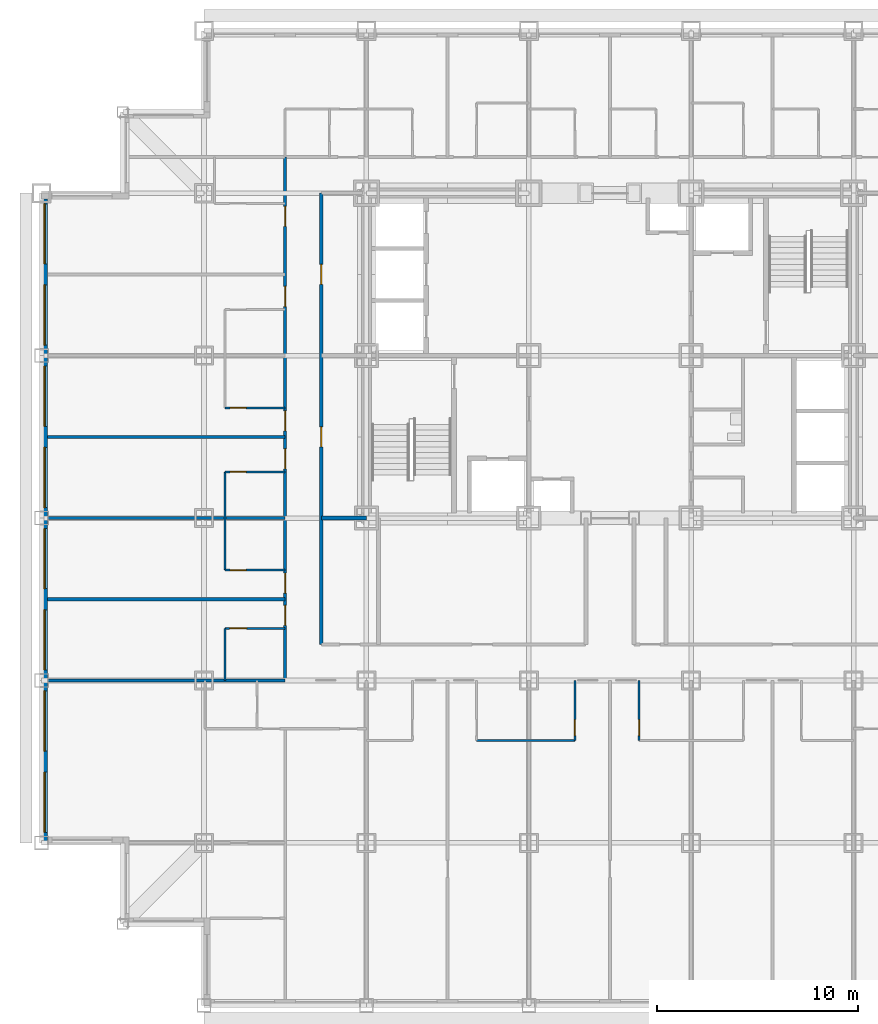
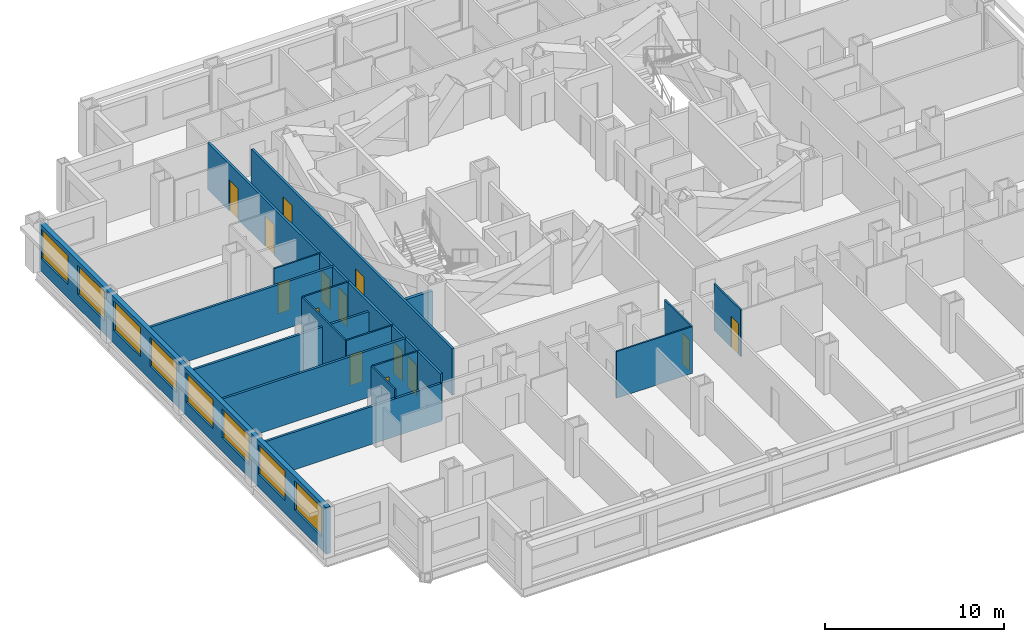
# One storey, part 4 of 12: 17 walls, 14 doors, 8 windows, 22 openings.
"""IFC4 building model written with IfcOpenShell, lengths in metres."""

from ifc_helpers import new_model, si_unit, direction, frame, frame_2d, origin, place, context, subcontext, project, spatial, rectangle, extrude, material, layer, layer_set, type_object, element, fill, save


model = new_model("IFC4")

# Units and contexts
model_context = context("Model", 3, precision=1e-05, world=origin(), true_north=direction((0.0, 1.0)))
body_context = subcontext(model_context, "Body", "Model", "MODEL_VIEW")
ifc_project = project(units=[si_unit("LENGTHUNIT", "METRE"), si_unit("AREAUNIT", "SQUARE_METRE"), si_unit("VOLUMEUNIT", "CUBIC_METRE"), si_unit("PLANEANGLEUNIT", "RADIAN"), si_unit("MASSUNIT", "GRAM", prefix="KILO")], contexts=[model_context])

# Site, building, storey
site_placement = place(None, origin())
site = spatial("IfcSite", under=ifc_project, at=site_placement, CompositionType="ELEMENT")
building_placement = place(site_placement, origin())
building = spatial("IfcBuilding", under=site, at=building_placement, Name="Kopane Lantern Tower", CompositionType="ELEMENT")
storey_placement = place(building_placement, frame((0.0, 0.0, 39.800048828125)))
storey = spatial("IfcBuildingStorey", under=building, at=storey_placement, Name="L08", CompositionType="ELEMENT", Elevation=39.800048828125)

# Wall
ifc_material_1 = material(Name="Moisture-resistant board on steel studs", Category="steel")
ifc_layer_1 = layer(ifc_material_1, 0.10009765625)
ifc_layer_set_1 = layer_set([ifc_layer_1], Name="BATHROOM WALL 100")
wall_type_1 = type_object("IfcWallType", Name="BATHROOM WALL 100", PredefinedType="PARTITIONING", material=ifc_layer_set_1)
wall_1_placement = place(storey_placement, frame((21.699951171875, 13.199951171875, 0.0), z_axis=(0.0, 0.0, 1.0), x_axis=(1.0, 0.0, 0.0)))
element("IfcWall", 1, at=wall_1_placement, inside=storey, type_object=wall_type_1, Name="Bathroom Wall 100 L08", PredefinedType="PARTITIONING", context=body_context, shape_type="SweptSolid", body=[
    extrude(rectangle(XDim=4.900146484375, YDim=0.10009765625, at=frame_2d((2.4501953125, 0.0))), origin(), (0.0, 0.0, 1.0), 3.18994140625),
])

# Wall, opening, door
wall_2_placement = place(storey_placement, frame((26.60009765625, 16.199951171875, 0.0), z_axis=(0.0, 0.0, 1.0), x_axis=(0.0, -1.0, 0.0)))
wall_2 = element("IfcWall", 2, at=wall_2_placement, inside=storey, type_object=wall_type_1, Name="Bathroom Wall 100 L08", PredefinedType="PARTITIONING", context=body_context, shape_type="SweptSolid", body=[
    extrude(rectangle(XDim=3.0, YDim=0.10009765625, at=frame_2d((1.5, 0.0))), origin(), (0.0, 0.0, 1.0), 3.18994140625),
])
opening_1_placement = place(wall_2_placement, frame((1.949951171875, 0.0, 0.0)))
opening_1 = element("IfcOpeningElement", 3, at=opening_1_placement, cuts=wall_2, Name="Opening L08-014", PredefinedType="OPENING", context=body_context, shape_type="SweptSolid", body=[
    extrude(rectangle(XDim=0.800048828125, YDim=2.10009765625, at=frame_2d((0.39990234375, 1.050048828125))), frame((0.0, 0.06005859375, 0.0), z_axis=(0.0, -1.0, 0.0), x_axis=(1.0, 0.0, 0.0)), (0.0, 0.0, 1.0), 0.1201171875),
])
ifc_material_2 = material(Name="Timber door set", Category="wood")
door_type_1 = type_object("IfcDoorType", Name="DOOR D2 800x2100", OperationType="SINGLE_SWING_LEFT", PredefinedType="DOOR", material=ifc_material_2)
door_1_placement = place(opening_1_placement, origin())
door_1 = element("IfcDoor", 4, at=door_1_placement, inside=storey, type_object=door_type_1, Name="Door L08-014", OperationType="SINGLE_SWING_LEFT", OverallHeight=2.10009765625, OverallWidth=0.800048828125, PredefinedType="DOOR", context=body_context, shape_type="SweptSolid", body=[
    extrude(rectangle(XDim=0.800048828125, YDim=2.10009765625, at=frame_2d((0.39990234375, 1.050048828125))), frame((0.0, 0.02490234375, 0.0), z_axis=(0.0, -1.0, 0.0), x_axis=(1.0, 0.0, 0.0)), (0.0, 0.0, 1.0), 0.050048828125),
])
fill(opening_1, door_1)

wall_3_placement = place(storey_placement, frame((29.800048828125, 16.199951171875, 0.0), z_axis=(0.0, 0.0, 1.0), x_axis=(0.0, -1.0, 0.0)))
wall_3 = element("IfcWall", 5, at=wall_3_placement, inside=storey, type_object=wall_type_1, Name="Bathroom Wall 100 L08", PredefinedType="PARTITIONING", context=body_context, shape_type="SweptSolid", body=[
    extrude(rectangle(XDim=3.0, YDim=0.10009765625, at=frame_2d((1.5, 0.0))), origin(), (0.0, 0.0, 1.0), 3.18994140625),
])
opening_2_placement = place(wall_3_placement, frame((1.949951171875, 0.0, 0.0)))
opening_2 = element("IfcOpeningElement", 6, at=opening_2_placement, cuts=wall_3, Name="Opening L08-016", PredefinedType="OPENING", context=body_context, shape_type="SweptSolid", body=[
    extrude(rectangle(XDim=0.800048828125, YDim=2.10009765625, at=frame_2d((0.39990234375, 1.050048828125))), frame((0.0, 0.06005859375, 0.0), z_axis=(0.0, -1.0, 0.0), x_axis=(1.0, 0.0, 0.0)), (0.0, 0.0, 1.0), 0.1201171875),
])
door_2_placement = place(opening_2_placement, origin())
door_2 = element("IfcDoor", 7, at=door_2_placement, inside=storey, type_object=door_type_1, Name="Door L08-016", OperationType="SINGLE_SWING_RIGHT", OverallHeight=2.10009765625, OverallWidth=0.800048828125, PredefinedType="DOOR", context=body_context, shape_type="SweptSolid", body=[
    extrude(rectangle(XDim=0.800048828125, YDim=2.10009765625, at=frame_2d((0.39990234375, 1.050048828125))), frame((0.0, 0.02490234375, 0.0), z_axis=(0.0, -1.0, 0.0), x_axis=(1.0, 0.0, 0.0)), (0.0, 0.0, 1.0), 0.050048828125),
])
fill(opening_2, door_2)

# Wall
wall_4_placement = place(storey_placement, frame((9.14990234375, 16.199951171875, 0.0), z_axis=(0.0, 0.0, 1.0), x_axis=(0.0, 1.0, 0.0)))
element("IfcWall", 8, at=wall_4_placement, inside=storey, type_object=wall_type_1, Name="Bathroom Wall 100 L08", PredefinedType="PARTITIONING", context=body_context, shape_type="SweptSolid", body=[
    extrude(rectangle(XDim=2.60009765625, YDim=0.10009765625, at=frame_2d((1.300048828125, 0.0))), origin(), (0.0, 0.0, 1.0), 3.18994140625),
])

# Wall, opening, door
wall_5_placement = place(storey_placement, frame((12.14990234375, 18.800048828125, 0.0), z_axis=(0.0, 0.0, 1.0), x_axis=(-1.0, 0.0, 0.0)))
wall_5 = element("IfcWall", 9, at=wall_5_placement, inside=storey, type_object=wall_type_1, Name="Bathroom Wall 100 L08", PredefinedType="PARTITIONING", context=body_context, shape_type="SweptSolid", body=[
    extrude(rectangle(XDim=3.0, YDim=0.10009765625, at=frame_2d((1.5, 0.0))), origin(), (0.0, 0.0, 1.0), 3.18994140625),
])
opening_3_placement = place(wall_5_placement, frame((1.925048828125, 0.0, 0.0)))
opening_3 = element("IfcOpeningElement", 10, at=opening_3_placement, cuts=wall_5, Name="Opening L08-035", PredefinedType="OPENING", context=body_context, shape_type="SweptSolid", body=[
    extrude(rectangle(XDim=0.85009765625, YDim=2.10009765625, at=frame_2d((0.425048828125, 1.050048828125))), frame((0.0, 0.06005859375, 0.0), z_axis=(0.0, -1.0, 0.0), x_axis=(1.0, 0.0, 0.0)), (0.0, 0.0, 1.0), 0.1201171875),
])
ifc_material_3 = material(Name="Timber door set", Category="wood")
door_type_2 = type_object("IfcDoorType", Name="DOOR D4 850x2100", OperationType="SINGLE_SWING_LEFT", PredefinedType="DOOR", material=ifc_material_3)
door_3_placement = place(opening_3_placement, origin())
door_3 = element("IfcDoor", 11, at=door_3_placement, inside=storey, type_object=door_type_2, Name="Door L08-035", OperationType="SINGLE_SWING_RIGHT", OverallHeight=2.10009765625, OverallWidth=0.85009765625, PredefinedType="DOOR", context=body_context, shape_type="SweptSolid", body=[
    extrude(rectangle(XDim=0.85009765625, YDim=2.10009765625, at=frame_2d((0.425048828125, 1.050048828125))), frame((0.0, 0.02490234375, 0.0), z_axis=(0.0, -1.0, 0.0), x_axis=(1.0, 0.0, 0.0)), (0.0, 0.0, 1.0), 0.050048828125),
])
fill(opening_3, door_3)

# Wall
wall_6_placement = place(storey_placement, frame((9.14990234375, 21.699951171875, 0.0), z_axis=(0.0, 0.0, 1.0), x_axis=(0.0, 1.0, 0.0)))
element("IfcWall", 12, at=wall_6_placement, inside=storey, type_object=wall_type_1, Name="Bathroom Wall 100 L08", PredefinedType="PARTITIONING", context=body_context, shape_type="SweptSolid", body=[
    extrude(rectangle(XDim=4.900146484375, YDim=0.10009765625, at=frame_2d((2.4501953125, 0.0))), origin(), (0.0, 0.0, 1.0), 3.18994140625),
])

# Wall, opening, door
wall_7_placement = place(storey_placement, frame((12.14990234375, 21.699951171875, 0.0), z_axis=(0.0, 0.0, 1.0), x_axis=(-1.0, 0.0, 0.0)))
wall_7 = element("IfcWall", 13, at=wall_7_placement, inside=storey, type_object=wall_type_1, Name="Bathroom Wall 100 L08", PredefinedType="PARTITIONING", context=body_context, shape_type="SweptSolid", body=[
    extrude(rectangle(XDim=3.0, YDim=0.10009765625, at=frame_2d((1.5, 0.0))), origin(), (0.0, 0.0, 1.0), 3.18994140625),
])
opening_4_placement = place(wall_7_placement, frame((1.949951171875, 0.0, 0.0)))
opening_4 = element("IfcOpeningElement", 14, at=opening_4_placement, cuts=wall_7, Name="Opening L08-037", PredefinedType="OPENING", context=body_context, shape_type="SweptSolid", body=[
    extrude(rectangle(XDim=0.800048828125, YDim=2.10009765625, at=frame_2d((0.39990234375, 1.050048828125))), frame((0.0, 0.06005859375, 0.0), z_axis=(0.0, -1.0, 0.0), x_axis=(1.0, 0.0, 0.0)), (0.0, 0.0, 1.0), 0.1201171875),
])
door_4_placement = place(opening_4_placement, origin())
door_4 = element("IfcDoor", 15, at=door_4_placement, inside=storey, type_object=door_type_1, Name="Door L08-037", OperationType="SINGLE_SWING_LEFT", OverallHeight=2.10009765625, OverallWidth=0.800048828125, PredefinedType="DOOR", context=body_context, shape_type="SweptSolid", body=[
    extrude(rectangle(XDim=0.800048828125, YDim=2.10009765625, at=frame_2d((0.39990234375, 1.050048828125))), frame((0.0, 0.02490234375, 0.0), z_axis=(0.0, -1.0, 0.0), x_axis=(1.0, 0.0, 0.0)), (0.0, 0.0, 1.0), 0.050048828125),
])
fill(opening_4, door_4)

wall_8_placement = place(storey_placement, frame((12.14990234375, 26.60009765625, 0.0), z_axis=(0.0, 0.0, 1.0), x_axis=(-1.0, 0.0, 0.0)))
wall_8 = element("IfcWall", 16, at=wall_8_placement, inside=storey, type_object=wall_type_1, Name="Bathroom Wall 100 L08", PredefinedType="PARTITIONING", context=body_context, shape_type="SweptSolid", body=[
    extrude(rectangle(XDim=3.0, YDim=0.10009765625, at=frame_2d((1.5, 0.0))), origin(), (0.0, 0.0, 1.0), 3.18994140625),
])
opening_5_placement = place(wall_8_placement, frame((1.949951171875, 0.0, 0.0)))
opening_5 = element("IfcOpeningElement", 17, at=opening_5_placement, cuts=wall_8, Name="Opening L08-039", PredefinedType="OPENING", context=body_context, shape_type="SweptSolid", body=[
    extrude(rectangle(XDim=0.800048828125, YDim=2.10009765625, at=frame_2d((0.39990234375, 1.050048828125))), frame((0.0, 0.06005859375, 0.0), z_axis=(0.0, -1.0, 0.0), x_axis=(1.0, 0.0, 0.0)), (0.0, 0.0, 1.0), 0.1201171875),
])
door_5_placement = place(opening_5_placement, origin())
door_5 = element("IfcDoor", 18, at=door_5_placement, inside=storey, type_object=door_type_1, Name="Door L08-039", OperationType="SINGLE_SWING_RIGHT", OverallHeight=2.10009765625, OverallWidth=0.800048828125, PredefinedType="DOOR", context=body_context, shape_type="SweptSolid", body=[
    extrude(rectangle(XDim=0.800048828125, YDim=2.10009765625, at=frame_2d((0.39990234375, 1.050048828125))), frame((0.0, 0.02490234375, 0.0), z_axis=(0.0, -1.0, 0.0), x_axis=(1.0, 0.0, 0.0)), (0.0, 0.0, 1.0), 0.050048828125),
])
fill(opening_5, door_5)

wall_9_placement = place(storey_placement, frame((12.14990234375, 29.800048828125, 0.0), z_axis=(0.0, 0.0, 1.0), x_axis=(-1.0, 0.0, 0.0)))
wall_9 = element("IfcWall", 19, at=wall_9_placement, inside=storey, type_object=wall_type_1, Name="Bathroom Wall 100 L08", PredefinedType="PARTITIONING", context=body_context, shape_type="SweptSolid", body=[
    extrude(rectangle(XDim=3.0, YDim=0.10009765625, at=frame_2d((1.5, 0.0))), origin(), (0.0, 0.0, 1.0), 3.18994140625),
])
opening_6_placement = place(wall_9_placement, frame((1.949951171875, 0.0, 0.0)))
opening_6 = element("IfcOpeningElement", 20, at=opening_6_placement, cuts=wall_9, Name="Opening L08-041", PredefinedType="OPENING", context=body_context, shape_type="SweptSolid", body=[
    extrude(rectangle(XDim=0.800048828125, YDim=2.10009765625, at=frame_2d((0.39990234375, 1.050048828125))), frame((0.0, 0.06005859375, 0.0), z_axis=(0.0, -1.0, 0.0), x_axis=(1.0, 0.0, 0.0)), (0.0, 0.0, 1.0), 0.1201171875),
])
door_6_placement = place(opening_6_placement, origin())
door_6 = element("IfcDoor", 21, at=door_6_placement, inside=storey, type_object=door_type_1, Name="Door L08-041", OperationType="SINGLE_SWING_LEFT", OverallHeight=2.10009765625, OverallWidth=0.800048828125, PredefinedType="DOOR", context=body_context, shape_type="SweptSolid", body=[
    extrude(rectangle(XDim=0.800048828125, YDim=2.10009765625, at=frame_2d((0.39990234375, 1.050048828125))), frame((0.0, 0.02490234375, 0.0), z_axis=(0.0, -1.0, 0.0), x_axis=(1.0, 0.0, 0.0)), (0.0, 0.0, 1.0), 0.050048828125),
])
fill(opening_6, door_6)

# Wall, openings, doors
ifc_material_4 = material(Name="Gypsum board on steel studs", Category="steel")
ifc_layer_2 = layer(ifc_material_4, 0.14990234375)
ifc_layer_set_2 = layer_set([ifc_layer_2], Name="CORRIDOR WALL 150 EI 60")
wall_type_2 = type_object("IfcWallType", Name="CORRIDOR WALL 150 EI 60", PredefinedType="PARTITIONING", material=ifc_layer_set_2)
wall_10_placement = place(storey_placement, frame((12.14990234375, 16.199951171875, 0.0), z_axis=(0.0, 0.0, 1.0), x_axis=(0.0, 1.0, 0.0)))
wall_10 = element("IfcWall", 22, at=wall_10_placement, inside=storey, type_object=wall_type_2, Name="Corridor Wall 150 Ei 60 L08", PredefinedType="PARTITIONING", context=body_context, shape_type="SweptSolid", body=[
    extrude(rectangle(XDim=26.10009765625, YDim=0.14990234375, at=frame_2d((13.050048828125, 0.0))), origin(), (0.0, 0.0, 1.0), 3.18994140625),
])
opening_7_placement = place(wall_10_placement, frame((2.75, 0.0, 0.0)))
opening_7 = element("IfcOpeningElement", 23, at=opening_7_placement, cuts=wall_10, Name="Opening L08-036", PredefinedType="OPENING", context=body_context, shape_type="SweptSolid", body=[
    extrude(rectangle(XDim=1.0, YDim=2.10009765625, at=frame_2d((0.5, 1.050048828125))), frame((0.0, 0.0849609375, 0.0), z_axis=(0.0, -1.0, 0.0), x_axis=(1.0, 0.0, 0.0)), (0.0, 0.0, 1.0), 0.169921875),
])
opening_8_placement = place(wall_10_placement, frame((4.35009765625, 0.0, 0.0)))
opening_8 = element("IfcOpeningElement", 24, at=opening_8_placement, cuts=wall_10, Name="Opening L08-038", PredefinedType="OPENING", context=body_context, shape_type="SweptSolid", body=[
    extrude(rectangle(XDim=1.0, YDim=2.10009765625, at=frame_2d((0.5, 1.050048828125))), frame((0.0, 0.0849609375, 0.0), z_axis=(0.0, -1.0, 0.0), x_axis=(1.0, 0.0, 0.0)), (0.0, 0.0, 1.0), 0.169921875),
])
opening_9_placement = place(wall_10_placement, frame((10.550048828125, 0.0, 0.0)))
opening_9 = element("IfcOpeningElement", 25, at=opening_9_placement, cuts=wall_10, Name="Opening L08-040", PredefinedType="OPENING", context=body_context, shape_type="SweptSolid", body=[
    extrude(rectangle(XDim=1.0, YDim=2.10009765625, at=frame_2d((0.5, 1.050048828125))), frame((0.0, 0.0849609375, 0.0), z_axis=(0.0, -1.0, 0.0), x_axis=(1.0, 0.0, 0.0)), (0.0, 0.0, 1.0), 0.169921875),
])
opening_10_placement = place(wall_10_placement, frame((12.449951171875, 0.0, 0.0)))
opening_10 = element("IfcOpeningElement", 26, at=opening_10_placement, cuts=wall_10, Name="Opening L08-042", PredefinedType="OPENING", context=body_context, shape_type="SweptSolid", body=[
    extrude(rectangle(XDim=1.0, YDim=2.10009765625, at=frame_2d((0.5, 1.050048828125))), frame((0.0, 0.0849609375, 0.0), z_axis=(0.0, -1.0, 0.0), x_axis=(1.0, 0.0, 0.0)), (0.0, 0.0, 1.0), 0.169921875),
])
opening_11_placement = place(wall_10_placement, frame((18.64990234375, 0.0, 0.0)))
opening_11 = element("IfcOpeningElement", 27, at=opening_11_placement, cuts=wall_10, Name="Opening L08-044", PredefinedType="OPENING", context=body_context, shape_type="SweptSolid", body=[
    extrude(rectangle(XDim=1.0, YDim=2.10009765625, at=frame_2d((0.5, 1.050048828125))), frame((0.0, 0.0849609375, 0.0), z_axis=(0.0, -1.0, 0.0), x_axis=(1.0, 0.0, 0.0)), (0.0, 0.0, 1.0), 0.169921875),
])
opening_12_placement = place(wall_10_placement, frame((22.64990234375, 0.0, 0.0)))
opening_12 = element("IfcOpeningElement", 28, at=opening_12_placement, cuts=wall_10, Name="Opening L08-046", PredefinedType="OPENING", context=body_context, shape_type="SweptSolid", body=[
    extrude(rectangle(XDim=1.0, YDim=2.10009765625, at=frame_2d((0.5, 1.050048828125))), frame((0.0, 0.0849609375, 0.0), z_axis=(0.0, -1.0, 0.0), x_axis=(1.0, 0.0, 0.0)), (0.0, 0.0, 1.0), 0.169921875),
])
ifc_material_5 = material(Name="Steel door set", Category="steel")
door_type_3 = type_object("IfcDoorType", Name="DOOR D1 1000x2100 FD30S", OperationType="SINGLE_SWING_LEFT", PredefinedType="DOOR", material=ifc_material_5)
door_7_placement = place(opening_7_placement, origin())
door_7 = element("IfcDoor", 29, at=door_7_placement, inside=storey, type_object=door_type_3, Name="Door L08-036", OperationType="SINGLE_SWING_LEFT", OverallHeight=2.10009765625, OverallWidth=1.0, PredefinedType="DOOR", context=body_context, shape_type="SweptSolid", body=[
    extrude(rectangle(XDim=1.0, YDim=2.10009765625, at=frame_2d((0.5, 1.050048828125))), frame((0.0, 0.02490234375, 0.0), z_axis=(0.0, -1.0, 0.0), x_axis=(1.0, 0.0, 0.0)), (0.0, 0.0, 1.0), 0.050048828125),
])
fill(opening_7, door_7)
door_8_placement = place(opening_8_placement, origin())
door_8 = element("IfcDoor", 30, at=door_8_placement, inside=storey, type_object=door_type_3, Name="Door L08-038", OperationType="SINGLE_SWING_RIGHT", OverallHeight=2.10009765625, OverallWidth=1.0, PredefinedType="DOOR", context=body_context, shape_type="SweptSolid", body=[
    extrude(rectangle(XDim=1.0, YDim=2.10009765625, at=frame_2d((0.5, 1.050048828125))), frame((0.0, 0.02490234375, 0.0), z_axis=(0.0, -1.0, 0.0), x_axis=(1.0, 0.0, 0.0)), (0.0, 0.0, 1.0), 0.050048828125),
])
fill(opening_8, door_8)
door_9_placement = place(opening_9_placement, origin())
door_9 = element("IfcDoor", 31, at=door_9_placement, inside=storey, type_object=door_type_3, Name="Door L08-040", OperationType="SINGLE_SWING_LEFT", OverallHeight=2.10009765625, OverallWidth=1.0, PredefinedType="DOOR", context=body_context, shape_type="SweptSolid", body=[
    extrude(rectangle(XDim=1.0, YDim=2.10009765625, at=frame_2d((0.5, 1.050048828125))), frame((0.0, 0.02490234375, 0.0), z_axis=(0.0, -1.0, 0.0), x_axis=(1.0, 0.0, 0.0)), (0.0, 0.0, 1.0), 0.050048828125),
])
fill(opening_9, door_9)
door_10_placement = place(opening_10_placement, origin())
door_10 = element("IfcDoor", 32, at=door_10_placement, inside=storey, type_object=door_type_3, Name="Door L08-042", OperationType="SINGLE_SWING_RIGHT", OverallHeight=2.10009765625, OverallWidth=1.0, PredefinedType="DOOR", context=body_context, shape_type="SweptSolid", body=[
    extrude(rectangle(XDim=1.0, YDim=2.10009765625, at=frame_2d((0.5, 1.050048828125))), frame((0.0, 0.02490234375, 0.0), z_axis=(0.0, -1.0, 0.0), x_axis=(1.0, 0.0, 0.0)), (0.0, 0.0, 1.0), 0.050048828125),
])
fill(opening_10, door_10)
door_11_placement = place(opening_11_placement, origin())
door_11 = element("IfcDoor", 33, at=door_11_placement, inside=storey, type_object=door_type_3, Name="Door L08-044", OperationType="SINGLE_SWING_LEFT", OverallHeight=2.10009765625, OverallWidth=1.0, PredefinedType="DOOR", context=body_context, shape_type="SweptSolid", body=[
    extrude(rectangle(XDim=1.0, YDim=2.10009765625, at=frame_2d((0.5, 1.050048828125))), frame((0.0, 0.02490234375, 0.0), z_axis=(0.0, -1.0, 0.0), x_axis=(1.0, 0.0, 0.0)), (0.0, 0.0, 1.0), 0.050048828125),
])
fill(opening_11, door_11)
door_12_placement = place(opening_12_placement, origin())
door_12 = element("IfcDoor", 34, at=door_12_placement, inside=storey, type_object=door_type_3, Name="Door L08-046", OperationType="SINGLE_SWING_RIGHT", OverallHeight=2.10009765625, OverallWidth=1.0, PredefinedType="DOOR", context=body_context, shape_type="SweptSolid", body=[
    extrude(rectangle(XDim=1.0, YDim=2.10009765625, at=frame_2d((0.5, 1.050048828125))), frame((0.0, 0.02490234375, 0.0), z_axis=(0.0, -1.0, 0.0), x_axis=(1.0, 0.0, 0.0)), (0.0, 0.0, 1.0), 0.050048828125),
])
fill(opening_12, door_12)

wall_11_placement = place(storey_placement, frame((13.949951171875, 40.5, 0.0), z_axis=(0.0, 0.0, 1.0), x_axis=(0.0, -1.0, 0.0)))
wall_11 = element("IfcWall", 35, at=wall_11_placement, inside=storey, type_object=wall_type_2, Name="Corridor Wall 150 Ei 60 L08", PredefinedType="PARTITIONING", context=body_context, shape_type="SweptSolid", body=[
    extrude(rectangle(XDim=22.5, YDim=0.14990234375, at=frame_2d((11.25, 0.0))), origin(), (0.0, 0.0, 1.0), 3.18994140625),
])
opening_13_placement = place(wall_11_placement, frame((11.64990234375, 0.0, 0.0)))
opening_13 = element("IfcOpeningElement", 36, at=opening_13_placement, cuts=wall_11, Name="Opening L08-001", PredefinedType="OPENING", context=body_context, shape_type="SweptSolid", body=[
    extrude(rectangle(XDim=1.0, YDim=2.10009765625, at=frame_2d((0.5, 1.050048828125))), frame((0.0, 0.0849609375, 0.0), z_axis=(0.0, -1.0, 0.0), x_axis=(1.0, 0.0, 0.0)), (0.0, 0.0, 1.0), 0.169921875),
])
opening_14_placement = place(wall_11_placement, frame((3.550048828125, 0.0, 0.0)))
opening_14 = element("IfcOpeningElement", 37, at=opening_14_placement, cuts=wall_11, Name="Opening L08-002", PredefinedType="OPENING", context=body_context, shape_type="SweptSolid", body=[
    extrude(rectangle(XDim=1.0, YDim=2.10009765625, at=frame_2d((0.5, 1.050048828125))), frame((0.0, 0.0849609375, 0.0), z_axis=(0.0, -1.0, 0.0), x_axis=(1.0, 0.0, 0.0)), (0.0, 0.0, 1.0), 0.169921875),
])
ifc_material_6 = material(Name="Steel door set", Category="steel")
door_type_4 = type_object("IfcDoorType", Name="DOOR D5 1000x2100 FD60", OperationType="SINGLE_SWING_LEFT", PredefinedType="DOOR", material=ifc_material_6)
door_13_placement = place(opening_13_placement, origin())
door_13 = element("IfcDoor", 38, at=door_13_placement, inside=storey, type_object=door_type_4, Name="Door L08-001", OperationType="SINGLE_SWING_RIGHT", OverallHeight=2.10009765625, OverallWidth=1.0, PredefinedType="DOOR", context=body_context, shape_type="SweptSolid", body=[
    extrude(rectangle(XDim=1.0, YDim=2.10009765625, at=frame_2d((0.5, 1.050048828125))), frame((0.0, 0.02490234375, 0.0), z_axis=(0.0, -1.0, 0.0), x_axis=(1.0, 0.0, 0.0)), (0.0, 0.0, 1.0), 0.050048828125),
])
fill(opening_13, door_13)
door_14_placement = place(opening_14_placement, origin())
door_14 = element("IfcDoor", 39, at=door_14_placement, inside=storey, type_object=door_type_4, Name="Door L08-002", OperationType="SINGLE_SWING_LEFT", OverallHeight=2.10009765625, OverallWidth=1.0, PredefinedType="DOOR", context=body_context, shape_type="SweptSolid", body=[
    extrude(rectangle(XDim=1.0, YDim=2.10009765625, at=frame_2d((0.5, 1.050048828125))), frame((0.0, 0.02490234375, 0.0), z_axis=(0.0, -1.0, 0.0), x_axis=(1.0, 0.0, 0.0)), (0.0, 0.0, 1.0), 0.050048828125),
])
fill(opening_14, door_14)

# Walls
ifc_material_7 = material(Name="Gypsum board on steel studs", Category="steel")
ifc_layer_3 = layer(ifc_material_7, 0.14990234375)
ifc_layer_set_3 = layer_set([ifc_layer_3], Name="DEMISING WALL 150 EI 60")
wall_type_3 = type_object("IfcWallType", Name="DEMISING WALL 150 EI 60", PredefinedType="PARTITIONING", material=ifc_layer_set_3)
wall_12_placement = place(storey_placement, frame((12.14990234375, 20.25, 0.0), z_axis=(0.0, 0.0, 1.0), x_axis=(-1.0, 0.0, 0.0)))
element("IfcWall", 40, at=wall_12_placement, inside=storey, type_object=wall_type_3, Name="Demising Wall 150 Ei 60 L08", PredefinedType="PARTITIONING", context=body_context, shape_type="SweptSolid", body=[
    extrude(rectangle(XDim=11.849853515625, YDim=0.14990234375, at=frame_2d((5.9248046875, 0.0))), origin(), (0.0, 0.0, 1.0), 3.18994140625),
])
wall_13_placement = place(storey_placement, frame((12.14990234375, 24.300048828125, 0.0), z_axis=(0.0, 0.0, 1.0), x_axis=(-1.0, 0.0, 0.0)))
element("IfcWall", 41, at=wall_13_placement, inside=storey, type_object=wall_type_3, Name="Demising Wall 150 Ei 60 L08", PredefinedType="PARTITIONING", context=body_context, shape_type="SweptSolid", body=[
    extrude(rectangle(XDim=11.849853515625, YDim=0.14990234375, at=frame_2d((5.9248046875, 0.0))), origin(), (0.0, 0.0, 1.0), 2.57763671875),
])
wall_14_placement = place(storey_placement, frame((12.14990234375, 28.35009765625, 0.0), z_axis=(0.0, 0.0, 1.0), x_axis=(-1.0, 0.0, 0.0)))
element("IfcWall", 42, at=wall_14_placement, inside=storey, type_object=wall_type_3, Name="Demising Wall 150 Ei 60 L08", PredefinedType="PARTITIONING", context=body_context, shape_type="SweptSolid", body=[
    extrude(rectangle(XDim=11.849853515625, YDim=0.14990234375, at=frame_2d((5.9248046875, 0.0))), origin(), (0.0, 0.0, 1.0), 3.18994140625),
])
wall_15_placement = place(storey_placement, frame((0.300048828125, 16.199951171875, 0.0), z_axis=(0.0, 0.0, 1.0), x_axis=(1.0, 0.0, 0.0)))
element("IfcWall", 43, at=wall_15_placement, inside=storey, type_object=wall_type_3, Name="Demising Wall 150 Ei 60 L08", PredefinedType="PARTITIONING", context=body_context, shape_type="SweptSolid", body=[
    extrude(rectangle(XDim=11.849853515625, YDim=0.14990234375, at=frame_2d((5.9248046875, 0.0))), origin(), (0.0, 0.0, 1.0), 2.57763671875),
])

# Wall, openings, windows
ifc_material_8 = material(Name="Terracotta rainscreen on light steel framing", Category="masonry")
ifc_layer_4 = layer(ifc_material_8, 0.300048828125)
ifc_layer_set_4 = layer_set([ifc_layer_4], Name="EXTERNAL WALL EW1 300 TERRACOTTA")
wall_type_4 = type_object("IfcWallType", Name="EXTERNAL WALL EW1 300 TERRACOTTA", PredefinedType="SOLIDWALL", material=ifc_layer_set_4)
wall_16_placement = place(storey_placement, frame((0.14990234375, 40.199951171875, 0.0), z_axis=(0.0, 0.0, 1.0), x_axis=(0.0, -1.0, 0.0)))
wall_16 = element("IfcWall", 44, at=wall_16_placement, inside=storey, type_object=wall_type_4, Name="External wall W L08", PredefinedType="SOLIDWALL", context=body_context, shape_type="SweptSolid", body=[
    extrude(rectangle(XDim=32.099853515625, YDim=0.300048828125, at=frame_2d((16.0498046875, 0.0))), origin(), (0.0, 0.0, 1.0), 3.18994140625),
])
opening_15_placement = place(wall_16_placement, frame((0.22509765625, 0.0, 0.89990234375)))
opening_15 = element("IfcOpeningElement", 45, at=opening_15_placement, cuts=wall_16, Name="Opening WR300200", PredefinedType="OPENING", context=body_context, shape_type="SweptSolid", body=[
    extrude(rectangle(XDim=3.0, YDim=2.0, at=frame_2d((1.5, 1.0))), frame((0.0, 0.159912109375, 0.0), z_axis=(0.0, -1.0, 0.0), x_axis=(1.0, 0.0, 0.0)), (0.0, 0.0, 1.0), 0.320068359375),
])
opening_16_placement = place(wall_16_placement, frame((4.27490234375, 0.0, 0.89990234375)))
opening_16 = element("IfcOpeningElement", 46, at=opening_16_placement, cuts=wall_16, Name="Opening WR300200", PredefinedType="OPENING", context=body_context, shape_type="SweptSolid", body=[
    extrude(rectangle(XDim=3.0, YDim=2.0, at=frame_2d((1.5, 1.0))), frame((0.0, 0.159912109375, 0.0), z_axis=(0.0, -1.0, 0.0), x_axis=(1.0, 0.0, 0.0)), (0.0, 0.0, 1.0), 0.320068359375),
])
opening_17_placement = place(wall_16_placement, frame((8.324951171875, 0.0, 0.89990234375)))
opening_17 = element("IfcOpeningElement", 47, at=opening_17_placement, cuts=wall_16, Name="Opening WR300200", PredefinedType="OPENING", context=body_context, shape_type="SweptSolid", body=[
    extrude(rectangle(XDim=3.0, YDim=2.0, at=frame_2d((1.5, 1.0))), frame((0.0, 0.159912109375, 0.0), z_axis=(0.0, -1.0, 0.0), x_axis=(1.0, 0.0, 0.0)), (0.0, 0.0, 1.0), 0.320068359375),
])
opening_18_placement = place(wall_16_placement, frame((12.375, 0.0, 0.89990234375)))
opening_18 = element("IfcOpeningElement", 48, at=opening_18_placement, cuts=wall_16, Name="Opening WR300200", PredefinedType="OPENING", context=body_context, shape_type="SweptSolid", body=[
    extrude(rectangle(XDim=3.0, YDim=2.0, at=frame_2d((1.5, 1.0))), frame((0.0, 0.159912109375, 0.0), z_axis=(0.0, -1.0, 0.0), x_axis=(1.0, 0.0, 0.0)), (0.0, 0.0, 1.0), 0.320068359375),
])
opening_19_placement = place(wall_16_placement, frame((16.425048828125, 0.0, 0.89990234375)))
opening_19 = element("IfcOpeningElement", 49, at=opening_19_placement, cuts=wall_16, Name="Opening WR300200", PredefinedType="OPENING", context=body_context, shape_type="SweptSolid", body=[
    extrude(rectangle(XDim=3.0, YDim=2.0, at=frame_2d((1.5, 1.0))), frame((0.0, 0.159912109375, 0.0), z_axis=(0.0, -1.0, 0.0), x_axis=(1.0, 0.0, 0.0)), (0.0, 0.0, 1.0), 0.320068359375),
])
opening_20_placement = place(wall_16_placement, frame((20.47509765625, 0.0, 0.89990234375)))
opening_20 = element("IfcOpeningElement", 50, at=opening_20_placement, cuts=wall_16, Name="Opening WR300200", PredefinedType="OPENING", context=body_context, shape_type="SweptSolid", body=[
    extrude(rectangle(XDim=3.0, YDim=2.0, at=frame_2d((1.5, 1.0))), frame((0.0, 0.159912109375, 0.0), z_axis=(0.0, -1.0, 0.0), x_axis=(1.0, 0.0, 0.0)), (0.0, 0.0, 1.0), 0.320068359375),
])
opening_21_placement = place(wall_16_placement, frame((24.52490234375, 0.0, 0.89990234375)))
opening_21 = element("IfcOpeningElement", 51, at=opening_21_placement, cuts=wall_16, Name="Opening WR300200", PredefinedType="OPENING", context=body_context, shape_type="SweptSolid", body=[
    extrude(rectangle(XDim=3.0, YDim=2.0, at=frame_2d((1.5, 1.0))), frame((0.0, 0.159912109375, 0.0), z_axis=(0.0, -1.0, 0.0), x_axis=(1.0, 0.0, 0.0)), (0.0, 0.0, 1.0), 0.320068359375),
])
opening_22_placement = place(wall_16_placement, frame((28.574951171875, 0.0, 0.89990234375)))
opening_22 = element("IfcOpeningElement", 52, at=opening_22_placement, cuts=wall_16, Name="Opening WR300200", PredefinedType="OPENING", context=body_context, shape_type="SweptSolid", body=[
    extrude(rectangle(XDim=3.0, YDim=2.0, at=frame_2d((1.5, 1.0))), frame((0.0, 0.159912109375, 0.0), z_axis=(0.0, -1.0, 0.0), x_axis=(1.0, 0.0, 0.0)), (0.0, 0.0, 1.0), 0.320068359375),
])
ifc_material_9 = material(Name="Aluminium and clear glass", Category="aluminium")
window_type = type_object("IfcWindowType", Name="RIBBON WINDOW WR300200 3000x2000", PartitioningType="SINGLE_PANEL", PredefinedType="WINDOW", material=ifc_material_9)
window_1_placement = place(opening_15_placement, origin())
window_1 = element("IfcWindow", 53, at=window_1_placement, inside=storey, type_object=window_type, Name="Window W L08", OverallHeight=2.0, OverallWidth=3.0, PartitioningType="SINGLE_PANEL", PredefinedType="WINDOW", context=body_context, shape_type="SweptSolid", body=[
    extrude(rectangle(XDim=3.0, YDim=2.0, at=frame_2d((1.5, 1.0))), frame((0.0, 0.030029296875, 0.0), z_axis=(0.0, -1.0, 0.0), x_axis=(1.0, 0.0, 0.0)), (0.0, 0.0, 1.0), 0.06005859375),
])
fill(opening_15, window_1)
window_2_placement = place(opening_16_placement, origin())
window_2 = element("IfcWindow", 54, at=window_2_placement, inside=storey, type_object=window_type, Name="Window W L08", OverallHeight=2.0, OverallWidth=3.0, PartitioningType="SINGLE_PANEL", PredefinedType="WINDOW", context=body_context, shape_type="SweptSolid", body=[
    extrude(rectangle(XDim=3.0, YDim=2.0, at=frame_2d((1.5, 1.0))), frame((0.0, 0.030029296875, 0.0), z_axis=(0.0, -1.0, 0.0), x_axis=(1.0, 0.0, 0.0)), (0.0, 0.0, 1.0), 0.06005859375),
])
fill(opening_16, window_2)
window_3_placement = place(opening_17_placement, origin())
window_3 = element("IfcWindow", 55, at=window_3_placement, inside=storey, type_object=window_type, Name="Window W L08", OverallHeight=2.0, OverallWidth=3.0, PartitioningType="SINGLE_PANEL", PredefinedType="WINDOW", context=body_context, shape_type="SweptSolid", body=[
    extrude(rectangle(XDim=3.0, YDim=2.0, at=frame_2d((1.5, 1.0))), frame((0.0, 0.030029296875, 0.0), z_axis=(0.0, -1.0, 0.0), x_axis=(1.0, 0.0, 0.0)), (0.0, 0.0, 1.0), 0.06005859375),
])
fill(opening_17, window_3)
window_4_placement = place(opening_18_placement, origin())
window_4 = element("IfcWindow", 56, at=window_4_placement, inside=storey, type_object=window_type, Name="Window W L08", OverallHeight=2.0, OverallWidth=3.0, PartitioningType="SINGLE_PANEL", PredefinedType="WINDOW", context=body_context, shape_type="SweptSolid", body=[
    extrude(rectangle(XDim=3.0, YDim=2.0, at=frame_2d((1.5, 1.0))), frame((0.0, 0.030029296875, 0.0), z_axis=(0.0, -1.0, 0.0), x_axis=(1.0, 0.0, 0.0)), (0.0, 0.0, 1.0), 0.06005859375),
])
fill(opening_18, window_4)
window_5_placement = place(opening_19_placement, origin())
window_5 = element("IfcWindow", 57, at=window_5_placement, inside=storey, type_object=window_type, Name="Window W L08", OverallHeight=2.0, OverallWidth=3.0, PartitioningType="SINGLE_PANEL", PredefinedType="WINDOW", context=body_context, shape_type="SweptSolid", body=[
    extrude(rectangle(XDim=3.0, YDim=2.0, at=frame_2d((1.5, 1.0))), frame((0.0, 0.030029296875, 0.0), z_axis=(0.0, -1.0, 0.0), x_axis=(1.0, 0.0, 0.0)), (0.0, 0.0, 1.0), 0.06005859375),
])
fill(opening_19, window_5)
window_6_placement = place(opening_20_placement, origin())
window_6 = element("IfcWindow", 58, at=window_6_placement, inside=storey, type_object=window_type, Name="Window W L08", OverallHeight=2.0, OverallWidth=3.0, PartitioningType="SINGLE_PANEL", PredefinedType="WINDOW", context=body_context, shape_type="SweptSolid", body=[
    extrude(rectangle(XDim=3.0, YDim=2.0, at=frame_2d((1.5, 1.0))), frame((0.0, 0.030029296875, 0.0), z_axis=(0.0, -1.0, 0.0), x_axis=(1.0, 0.0, 0.0)), (0.0, 0.0, 1.0), 0.06005859375),
])
fill(opening_20, window_6)
window_7_placement = place(opening_21_placement, origin())
window_7 = element("IfcWindow", 59, at=window_7_placement, inside=storey, type_object=window_type, Name="Window W L08", OverallHeight=2.0, OverallWidth=3.0, PartitioningType="SINGLE_PANEL", PredefinedType="WINDOW", context=body_context, shape_type="SweptSolid", body=[
    extrude(rectangle(XDim=3.0, YDim=2.0, at=frame_2d((1.5, 1.0))), frame((0.0, 0.030029296875, 0.0), z_axis=(0.0, -1.0, 0.0), x_axis=(1.0, 0.0, 0.0)), (0.0, 0.0, 1.0), 0.06005859375),
])
fill(opening_21, window_7)
window_8_placement = place(opening_22_placement, origin())
window_8 = element("IfcWindow", 60, at=window_8_placement, inside=storey, type_object=window_type, Name="Window W L08", OverallHeight=2.0, OverallWidth=3.0, PartitioningType="SINGLE_PANEL", PredefinedType="WINDOW", context=body_context, shape_type="SweptSolid", body=[
    extrude(rectangle(XDim=3.0, YDim=2.0, at=frame_2d((1.5, 1.0))), frame((0.0, 0.030029296875, 0.0), z_axis=(0.0, -1.0, 0.0), x_axis=(1.0, 0.0, 0.0)), (0.0, 0.0, 1.0), 0.06005859375),
])
fill(opening_22, window_8)

# Wall
ifc_material_10 = material(Name="Concrete masonry", Category="masonry")
ifc_layer_5 = layer(ifc_material_10, 0.199951171875)
ifc_layer_set_5 = layer_set([ifc_layer_5], Name="PLANT ROOM WALL 200 EI 120")
wall_type_5 = type_object("IfcWallType", Name="PLANT ROOM WALL 200 EI 120", PredefinedType="SOLIDWALL", material=ifc_layer_set_5)
wall_17_placement = place(storey_placement, frame((13.949951171875, 24.300048828125, 0.0), z_axis=(0.0, 0.0, 1.0), x_axis=(1.0, 0.0, 0.0)))
element("IfcWall", 61, at=wall_17_placement, inside=storey, type_object=wall_type_5, Name="Plant Room Wall 200 Ei 120 L08", PredefinedType="SOLIDWALL", context=body_context, shape_type="SweptSolid", body=[
    extrude(rectangle(XDim=2.25, YDim=0.199951171875, at=frame_2d((1.125, 0.0))), origin(), (0.0, 0.0, 1.0), 2.57763671875),
])

save(model, "model.ifc")
